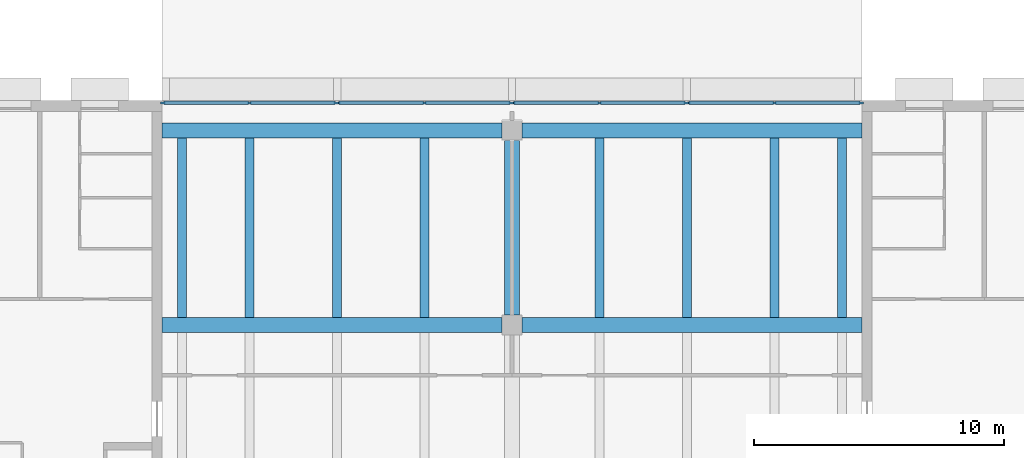
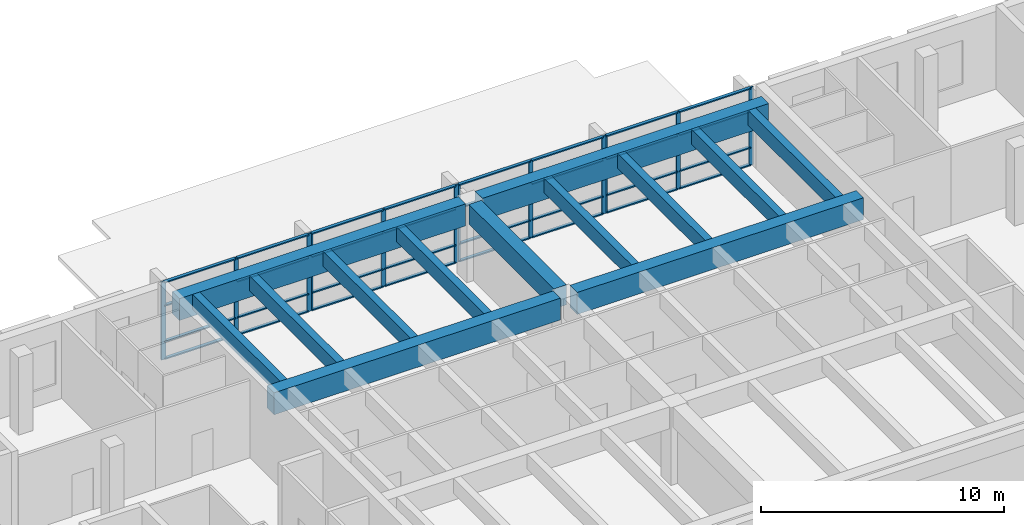
# One storey, part 14 of 45: 44 members, 13 beams, 4 elements without a shape of their own.
"""IFC4 building model written with IfcOpenShell, lengths in metres."""

from ifc_helpers import new_model, si_unit, direction, frame, origin, origin_2d, place, context, subcontext, project, spatial, rectangle, extrude, material, material_profile, profile_set, type_object, element, aggregate, save


model = new_model("IFC4")

# Units and contexts
model_context = context("Model", 3, precision=1e-05, world=origin(), true_north=direction((0.0, 1.0)))
body_context = subcontext(model_context, "Body", "Model", "MODEL_VIEW")
ifc_project = project(units=[si_unit("LENGTHUNIT", "METRE"), si_unit("AREAUNIT", "SQUARE_METRE"), si_unit("VOLUMEUNIT", "CUBIC_METRE"), si_unit("PLANEANGLEUNIT", "RADIAN"), si_unit("MASSUNIT", "GRAM", prefix="KILO")], contexts=[model_context])

# Site, building, storey
site_placement = place(None, origin())
site = spatial("IfcSite", under=ifc_project, at=site_placement, CompositionType="ELEMENT")
building_placement = place(site_placement, origin())
building = spatial("IfcBuilding", under=site, at=building_placement, Name="Elmora Arch Market Hall", CompositionType="ELEMENT")
storey_placement = place(building_placement, frame((0.0, 0.0, 6.0)))
storey = spatial("IfcBuildingStorey", under=building, at=storey_placement, Name="L01", CompositionType="ELEMENT", Elevation=6.0)

# Beams
ifc_material_1 = material(Name="Concrete C32/40", Category="concrete")
ifc_material_profile_1 = material_profile(ifc_material_1, rectangle(XDim=0.60009765625, YDim=1.10009765625, at=origin_2d()), Name="Bridge girder 600x1100")
ifc_profile_set_1 = profile_set([ifc_material_profile_1], Name="Concrete C32/40")
beam_type_1 = type_object("IfcBeamType", Name="Bridge girder 600x1100", PredefinedType="BEAM", material=ifc_profile_set_1)
for number, where, z_axis, x_axis, name in (
    (1, (15.0, 117.0, 3.35009765625), (1.0, 0.0, 0.0), (0.0, 1.0, 0.0), "Bridge girder NR3 L01.1"),
    (2, (29.39990234375, 117.0, 3.35009765625), (1.0, 0.0, 0.0), (0.0, 1.0, 0.0), "Bridge girder NR3 L01.2"),
    (3, (15.0, 124.800048828125, 3.35009765625), (1.0, 0.0, 0.0), (0.0, 1.0, 0.0), "Bridge girder NR4 L01.1"),
    (4, (29.39990234375, 124.800048828125, 3.35009765625), (1.0, 0.0, 0.0), (0.0, 1.0, 0.0), "Bridge girder NR4 L01.2"),
):
    element("IfcBeam", number, at=place(storey_placement, frame(where, z_axis=z_axis, x_axis=x_axis)), inside=storey, type_object=beam_type_1, Name=name, PredefinedType="BEAM", context=body_context, shape_type="SweptSolid", body=[
        extrude(rectangle(XDim=0.60009765625, YDim=1.10009765625, at=origin_2d()), origin(), (0.0, 0.0, 1.0), 13.60009765625),
    ])
ifc_material_2 = material(Name="Concrete C32/40", Category="concrete")
ifc_material_profile_2 = material_profile(ifc_material_2, rectangle(XDim=0.35009765625, YDim=0.75, at=origin_2d()), Name="Bridge joist 350x750")
ifc_profile_set_2 = profile_set([ifc_material_profile_2], Name="Concrete C32/40")
beam_type_2 = type_object("IfcBeamType", Name="Bridge joist 350x750", PredefinedType="JOIST", material=ifc_profile_set_2)
for number, where, z_axis, x_axis, name in (
    (5, (15.800048828125, 117.300048828125, 3.52490234375), (0.0, 1.0, 0.0), (-1.0, 0.0, 0.0), "Bridge joist NJ1 L01.3"),
    (6, (18.5, 117.300048828125, 3.52490234375), (0.0, 1.0, 0.0), (-1.0, 0.0, 0.0), "Bridge joist NJ2 L01.3"),
    (7, (22.0, 117.300048828125, 3.52490234375), (0.0, 1.0, 0.0), (-1.0, 0.0, 0.0), "Bridge joist NJ3 L01.3"),
    (8, (25.5, 117.300048828125, 3.52490234375), (0.0, 1.0, 0.0), (-1.0, 0.0, 0.0), "Bridge joist NJ4 L01.3"),
    (9, (32.5, 117.300048828125, 3.52490234375), (0.0, 1.0, 0.0), (-1.0, 0.0, 0.0), "Bridge joist NJ5 L01.3"),
    (10, (36.0, 117.300048828125, 3.52490234375), (0.0, 1.0, 0.0), (-1.0, 0.0, 0.0), "Bridge joist NJ6 L01.3"),
    (11, (39.5, 117.300048828125, 3.52490234375), (0.0, 1.0, 0.0), (-1.0, 0.0, 0.0), "Bridge joist NJ7 L01.3"),
    (12, (42.199951171875, 117.300048828125, 3.52490234375), (0.0, 1.0, 0.0), (-1.0, 0.0, 0.0), "Bridge joist NJ8 L01.3"),
):
    element("IfcBeam", number, at=place(storey_placement, frame(where, z_axis=z_axis, x_axis=x_axis)), inside=storey, type_object=beam_type_2, Name=name, PredefinedType="JOIST", context=body_context, shape_type="SweptSolid", body=[
        extrude(rectangle(XDim=0.35009765625, YDim=0.75, at=origin_2d()), origin(), (0.0, 0.0, 1.0), 7.199951171875),
    ])

# Curtain wall, members
ifc_material_3 = material(Name="Aluminium", Category="aluminium")
curtain_wall_type = type_object("IfcCurtainWallType", Name="Pavilion front curtain wall", PredefinedType="NOTDEFINED", material=ifc_material_3)
curtain_wall_1_placement = place(storey_placement, origin())
curtain_wall_1 = element("IfcCurtainWall", 13, at=curtain_wall_1_placement, inside=storey, type_object=curtain_wall_type, Name="Pavilion front L01 1", PredefinedType="NOTDEFINED")
ifc_material_4 = material(Name="Aluminium", Category="aluminium")
ifc_material_profile_3 = material_profile(ifc_material_4, rectangle(XDim=0.080078125, YDim=0.199951171875, at=origin_2d()), Name="AL 80x200")
ifc_profile_set_3 = profile_set([ifc_material_profile_3], Name="Aluminium")
member_type_1 = type_object("IfcMemberType", Name="Mullion 80x200", PredefinedType="MULLION", material=ifc_profile_set_3)
member_1_placement = place(storey_placement, frame((15.0400390625, 125.89990234375, 0.0), z_axis=(0.0, 0.0, 1.0), x_axis=(0.0, 1.0, 0.0)))
member_1 = element("IfcMember", 14, at=member_1_placement, type_object=member_type_1, Name="CW1 mullion 1", PredefinedType="MULLION", context=body_context, shape_type="SweptSolid", body=[
    extrude(rectangle(XDim=0.080078125, YDim=0.199951171875, at=origin_2d()), origin(), (0.0, 0.0, 1.0), 3.89990234375),
])
member_2_placement = place(storey_placement, frame((18.5, 125.89990234375, 0.0), z_axis=(0.0, 0.0, 1.0), x_axis=(0.0, 1.0, 0.0)))
member_2 = element("IfcMember", 15, at=member_2_placement, type_object=member_type_1, Name="CW1 mullion 2", PredefinedType="MULLION", context=body_context, shape_type="SweptSolid", body=[
    extrude(rectangle(XDim=0.080078125, YDim=0.199951171875, at=origin_2d()), origin(), (0.0, 0.0, 1.0), 3.89990234375),
])
member_3_placement = place(storey_placement, frame((21.9599609375, 125.89990234375, 0.0), z_axis=(0.0, 0.0, 1.0), x_axis=(0.0, 1.0, 0.0)))
member_3 = element("IfcMember", 16, at=member_3_placement, type_object=member_type_1, Name="CW1 mullion 3", PredefinedType="MULLION", context=body_context, shape_type="SweptSolid", body=[
    extrude(rectangle(XDim=0.080078125, YDim=0.199951171875, at=origin_2d()), origin(), (0.0, 0.0, 1.0), 3.89990234375),
])

curtain_wall_2_placement = place(storey_placement, origin())
curtain_wall_2 = element("IfcCurtainWall", 17, at=curtain_wall_2_placement, inside=storey, type_object=curtain_wall_type, Name="Pavilion front L01 2", PredefinedType="NOTDEFINED")
member_4_placement = place(storey_placement, frame((22.0400390625, 125.89990234375, 0.0), z_axis=(0.0, 0.0, 1.0), x_axis=(0.0, 1.0, 0.0)))
member_4 = element("IfcMember", 18, at=member_4_placement, type_object=member_type_1, Name="CW1 mullion 1", PredefinedType="MULLION", context=body_context, shape_type="SweptSolid", body=[
    extrude(rectangle(XDim=0.080078125, YDim=0.199951171875, at=origin_2d()), origin(), (0.0, 0.0, 1.0), 3.89990234375),
])
member_5_placement = place(storey_placement, frame((25.5, 125.89990234375, 0.0), z_axis=(0.0, 0.0, 1.0), x_axis=(0.0, 1.0, 0.0)))
member_5 = element("IfcMember", 19, at=member_5_placement, type_object=member_type_1, Name="CW1 mullion 2", PredefinedType="MULLION", context=body_context, shape_type="SweptSolid", body=[
    extrude(rectangle(XDim=0.080078125, YDim=0.199951171875, at=origin_2d()), origin(), (0.0, 0.0, 1.0), 3.89990234375),
])
member_6_placement = place(storey_placement, frame((28.9599609375, 125.89990234375, 0.0), z_axis=(0.0, 0.0, 1.0), x_axis=(0.0, 1.0, 0.0)))
member_6 = element("IfcMember", 20, at=member_6_placement, type_object=member_type_1, Name="CW1 mullion 3", PredefinedType="MULLION", context=body_context, shape_type="SweptSolid", body=[
    extrude(rectangle(XDim=0.080078125, YDim=0.199951171875, at=origin_2d()), origin(), (0.0, 0.0, 1.0), 3.89990234375),
])

curtain_wall_3_placement = place(storey_placement, origin())
curtain_wall_3 = element("IfcCurtainWall", 21, at=curtain_wall_3_placement, inside=storey, type_object=curtain_wall_type, Name="Pavilion front L01 3", PredefinedType="NOTDEFINED")
member_7_placement = place(storey_placement, frame((29.0400390625, 125.89990234375, 0.0), z_axis=(0.0, 0.0, 1.0), x_axis=(0.0, 1.0, 0.0)))
member_7 = element("IfcMember", 22, at=member_7_placement, type_object=member_type_1, Name="CW1 mullion 1", PredefinedType="MULLION", context=body_context, shape_type="SweptSolid", body=[
    extrude(rectangle(XDim=0.080078125, YDim=0.199951171875, at=origin_2d()), origin(), (0.0, 0.0, 1.0), 3.89990234375),
])
member_8_placement = place(storey_placement, frame((32.5, 125.89990234375, 0.0), z_axis=(0.0, 0.0, 1.0), x_axis=(0.0, 1.0, 0.0)))
member_8 = element("IfcMember", 23, at=member_8_placement, type_object=member_type_1, Name="CW1 mullion 2", PredefinedType="MULLION", context=body_context, shape_type="SweptSolid", body=[
    extrude(rectangle(XDim=0.080078125, YDim=0.199951171875, at=origin_2d()), origin(), (0.0, 0.0, 1.0), 3.89990234375),
])
member_9_placement = place(storey_placement, frame((35.9599609375, 125.89990234375, 0.0), z_axis=(0.0, 0.0, 1.0), x_axis=(0.0, 1.0, 0.0)))
member_9 = element("IfcMember", 24, at=member_9_placement, type_object=member_type_1, Name="CW1 mullion 3", PredefinedType="MULLION", context=body_context, shape_type="SweptSolid", body=[
    extrude(rectangle(XDim=0.080078125, YDim=0.199951171875, at=origin_2d()), origin(), (0.0, 0.0, 1.0), 3.89990234375),
])

curtain_wall_4_placement = place(storey_placement, origin())
curtain_wall_4 = element("IfcCurtainWall", 25, at=curtain_wall_4_placement, inside=storey, type_object=curtain_wall_type, Name="Pavilion front L01 4", PredefinedType="NOTDEFINED")
member_10_placement = place(storey_placement, frame((36.0400390625, 125.89990234375, 0.0), z_axis=(0.0, 0.0, 1.0), x_axis=(0.0, 1.0, 0.0)))
member_10 = element("IfcMember", 26, at=member_10_placement, type_object=member_type_1, Name="CW1 mullion 1", PredefinedType="MULLION", context=body_context, shape_type="SweptSolid", body=[
    extrude(rectangle(XDim=0.080078125, YDim=0.199951171875, at=origin_2d()), origin(), (0.0, 0.0, 1.0), 3.89990234375),
])
member_11_placement = place(storey_placement, frame((39.5, 125.89990234375, 0.0), z_axis=(0.0, 0.0, 1.0), x_axis=(0.0, 1.0, 0.0)))
member_11 = element("IfcMember", 27, at=member_11_placement, type_object=member_type_1, Name="CW1 mullion 2", PredefinedType="MULLION", context=body_context, shape_type="SweptSolid", body=[
    extrude(rectangle(XDim=0.080078125, YDim=0.199951171875, at=origin_2d()), origin(), (0.0, 0.0, 1.0), 3.89990234375),
])
member_12_placement = place(storey_placement, frame((42.9599609375, 125.89990234375, 0.0), z_axis=(0.0, 0.0, 1.0), x_axis=(0.0, 1.0, 0.0)))
member_12 = element("IfcMember", 28, at=member_12_placement, type_object=member_type_1, Name="CW1 mullion 3", PredefinedType="MULLION", context=body_context, shape_type="SweptSolid", body=[
    extrude(rectangle(XDim=0.080078125, YDim=0.199951171875, at=origin_2d()), origin(), (0.0, 0.0, 1.0), 3.89990234375),
])

# Beam
ifc_material_5 = material(Name="Concrete C32/40", Category="concrete")
ifc_material_profile_4 = material_profile(ifc_material_5, rectangle(XDim=0.60009765625, YDim=1.0, at=origin_2d()), Name="Spine girder 600x1000")
ifc_profile_set_4 = profile_set([ifc_material_profile_4], Name="Concrete C32/40")
beam_type_3 = type_object("IfcBeamType", Name="Spine girder 600x1000", PredefinedType="BEAM", material=ifc_profile_set_4)
beam_placement = place(storey_placement, frame((29.0, 117.39990234375, 3.39990234375), z_axis=(0.0, 1.0, 0.0), x_axis=(-1.0, 0.0, 0.0)))
element("IfcBeam", 29, at=beam_placement, inside=storey, type_object=beam_type_3, Name="Spine girder NSP L01.3", PredefinedType="BEAM", context=body_context, shape_type="SweptSolid", body=[
    extrude(rectangle(XDim=0.60009765625, YDim=1.0, at=origin_2d()), origin(), (0.0, 0.0, 1.0), 7.0),
])

# Member
ifc_material_6 = material(Name="Aluminium", Category="aluminium")
ifc_material_profile_5 = material_profile(ifc_material_6, rectangle(XDim=0.14990234375, YDim=0.06005859375, at=origin_2d()), Name="AL 150x60")
ifc_profile_set_5 = profile_set([ifc_material_profile_5], Name="Aluminium")
member_type_2 = type_object("IfcMemberType", Name="Transom 150x60", PredefinedType="USERDEFINED", material=ifc_profile_set_5)
member_13_placement = place(storey_placement, frame((15.080078125, 125.89990234375, 0.030029296875), z_axis=(1.0, 0.0, 0.0), x_axis=(0.0, 1.0, 0.0)))
member_13 = element("IfcMember", 30, at=member_13_placement, type_object=member_type_2, Name="CW1 transom 1.1", ObjectType="TRANSOM", PredefinedType="USERDEFINED", context=body_context, shape_type="SweptSolid", body=[
    extrude(rectangle(XDim=0.14990234375, YDim=0.06005859375, at=origin_2d()), origin(), (0.0, 0.0, 1.0), 3.3798828125),
])

member_14_placement = place(storey_placement, frame((15.080078125, 125.89990234375, 0.89990234375), z_axis=(1.0, 0.0, 0.0), x_axis=(0.0, 1.0, 0.0)))
member_14 = element("IfcMember", 31, at=member_14_placement, type_object=member_type_2, Name="CW1 transom 1.2", ObjectType="TRANSOM", PredefinedType="USERDEFINED", context=body_context, shape_type="SweptSolid", body=[
    extrude(rectangle(XDim=0.14990234375, YDim=0.06005859375, at=origin_2d()), origin(), (0.0, 0.0, 1.0), 3.3798828125),
])

member_15_placement = place(storey_placement, frame((15.080078125, 125.89990234375, 2.699951171875), z_axis=(1.0, 0.0, 0.0), x_axis=(0.0, 1.0, 0.0)))
member_15 = element("IfcMember", 32, at=member_15_placement, type_object=member_type_2, Name="CW1 transom 1.3", ObjectType="TRANSOM", PredefinedType="USERDEFINED", context=body_context, shape_type="SweptSolid", body=[
    extrude(rectangle(XDim=0.14990234375, YDim=0.06005859375, at=origin_2d()), origin(), (0.0, 0.0, 1.0), 3.3798828125),
])

member_16_placement = place(storey_placement, frame((15.080078125, 125.89990234375, 3.8701171875), z_axis=(1.0, 0.0, 0.0), x_axis=(0.0, 1.0, 0.0)))
member_16 = element("IfcMember", 33, at=member_16_placement, type_object=member_type_2, Name="CW1 transom 1.4", ObjectType="TRANSOM", PredefinedType="USERDEFINED", context=body_context, shape_type="SweptSolid", body=[
    extrude(rectangle(XDim=0.14990234375, YDim=0.06005859375, at=origin_2d()), origin(), (0.0, 0.0, 1.0), 3.3798828125),
])

member_17_placement = place(storey_placement, frame((18.5400390625, 125.89990234375, 0.030029296875), z_axis=(1.0, 0.0, 0.0), x_axis=(0.0, 1.0, 0.0)))
member_17 = element("IfcMember", 34, at=member_17_placement, type_object=member_type_2, Name="CW1 transom 2.1", ObjectType="TRANSOM", PredefinedType="USERDEFINED", context=body_context, shape_type="SweptSolid", body=[
    extrude(rectangle(XDim=0.14990234375, YDim=0.06005859375, at=origin_2d()), origin(), (0.0, 0.0, 1.0), 3.3798828125),
])

member_18_placement = place(storey_placement, frame((18.5400390625, 125.89990234375, 0.89990234375), z_axis=(1.0, 0.0, 0.0), x_axis=(0.0, 1.0, 0.0)))
member_18 = element("IfcMember", 35, at=member_18_placement, type_object=member_type_2, Name="CW1 transom 2.2", ObjectType="TRANSOM", PredefinedType="USERDEFINED", context=body_context, shape_type="SweptSolid", body=[
    extrude(rectangle(XDim=0.14990234375, YDim=0.06005859375, at=origin_2d()), origin(), (0.0, 0.0, 1.0), 3.3798828125),
])

member_19_placement = place(storey_placement, frame((18.5400390625, 125.89990234375, 2.699951171875), z_axis=(1.0, 0.0, 0.0), x_axis=(0.0, 1.0, 0.0)))
member_19 = element("IfcMember", 36, at=member_19_placement, type_object=member_type_2, Name="CW1 transom 2.3", ObjectType="TRANSOM", PredefinedType="USERDEFINED", context=body_context, shape_type="SweptSolid", body=[
    extrude(rectangle(XDim=0.14990234375, YDim=0.06005859375, at=origin_2d()), origin(), (0.0, 0.0, 1.0), 3.3798828125),
])

member_20_placement = place(storey_placement, frame((18.5400390625, 125.89990234375, 3.8701171875), z_axis=(1.0, 0.0, 0.0), x_axis=(0.0, 1.0, 0.0)))
member_20 = element("IfcMember", 37, at=member_20_placement, type_object=member_type_2, Name="CW1 transom 2.4", ObjectType="TRANSOM", PredefinedType="USERDEFINED", context=body_context, shape_type="SweptSolid", body=[
    extrude(rectangle(XDim=0.14990234375, YDim=0.06005859375, at=origin_2d()), origin(), (0.0, 0.0, 1.0), 3.3798828125),
])

aggregate(curtain_wall_1, [member_1, member_2, member_3, member_13, member_14, member_15, member_16, member_17, member_18, member_19, member_20])

member_21_placement = place(storey_placement, frame((22.080078125, 125.89990234375, 0.030029296875), z_axis=(1.0, 0.0, 0.0), x_axis=(0.0, 1.0, 0.0)))
member_21 = element("IfcMember", 38, at=member_21_placement, type_object=member_type_2, Name="CW1 transom 1.1", ObjectType="TRANSOM", PredefinedType="USERDEFINED", context=body_context, shape_type="SweptSolid", body=[
    extrude(rectangle(XDim=0.14990234375, YDim=0.06005859375, at=origin_2d()), origin(), (0.0, 0.0, 1.0), 3.3798828125),
])

member_22_placement = place(storey_placement, frame((22.080078125, 125.89990234375, 0.89990234375), z_axis=(1.0, 0.0, 0.0), x_axis=(0.0, 1.0, 0.0)))
member_22 = element("IfcMember", 39, at=member_22_placement, type_object=member_type_2, Name="CW1 transom 1.2", ObjectType="TRANSOM", PredefinedType="USERDEFINED", context=body_context, shape_type="SweptSolid", body=[
    extrude(rectangle(XDim=0.14990234375, YDim=0.06005859375, at=origin_2d()), origin(), (0.0, 0.0, 1.0), 3.3798828125),
])

member_23_placement = place(storey_placement, frame((22.080078125, 125.89990234375, 2.699951171875), z_axis=(1.0, 0.0, 0.0), x_axis=(0.0, 1.0, 0.0)))
member_23 = element("IfcMember", 40, at=member_23_placement, type_object=member_type_2, Name="CW1 transom 1.3", ObjectType="TRANSOM", PredefinedType="USERDEFINED", context=body_context, shape_type="SweptSolid", body=[
    extrude(rectangle(XDim=0.14990234375, YDim=0.06005859375, at=origin_2d()), origin(), (0.0, 0.0, 1.0), 3.3798828125),
])

member_24_placement = place(storey_placement, frame((22.080078125, 125.89990234375, 3.8701171875), z_axis=(1.0, 0.0, 0.0), x_axis=(0.0, 1.0, 0.0)))
member_24 = element("IfcMember", 41, at=member_24_placement, type_object=member_type_2, Name="CW1 transom 1.4", ObjectType="TRANSOM", PredefinedType="USERDEFINED", context=body_context, shape_type="SweptSolid", body=[
    extrude(rectangle(XDim=0.14990234375, YDim=0.06005859375, at=origin_2d()), origin(), (0.0, 0.0, 1.0), 3.3798828125),
])

member_25_placement = place(storey_placement, frame((25.5400390625, 125.89990234375, 0.030029296875), z_axis=(1.0, 0.0, 0.0), x_axis=(0.0, 1.0, 0.0)))
member_25 = element("IfcMember", 42, at=member_25_placement, type_object=member_type_2, Name="CW1 transom 2.1", ObjectType="TRANSOM", PredefinedType="USERDEFINED", context=body_context, shape_type="SweptSolid", body=[
    extrude(rectangle(XDim=0.14990234375, YDim=0.06005859375, at=origin_2d()), origin(), (0.0, 0.0, 1.0), 3.3798828125),
])

member_26_placement = place(storey_placement, frame((25.5400390625, 125.89990234375, 0.89990234375), z_axis=(1.0, 0.0, 0.0), x_axis=(0.0, 1.0, 0.0)))
member_26 = element("IfcMember", 43, at=member_26_placement, type_object=member_type_2, Name="CW1 transom 2.2", ObjectType="TRANSOM", PredefinedType="USERDEFINED", context=body_context, shape_type="SweptSolid", body=[
    extrude(rectangle(XDim=0.14990234375, YDim=0.06005859375, at=origin_2d()), origin(), (0.0, 0.0, 1.0), 3.3798828125),
])

member_27_placement = place(storey_placement, frame((25.5400390625, 125.89990234375, 2.699951171875), z_axis=(1.0, 0.0, 0.0), x_axis=(0.0, 1.0, 0.0)))
member_27 = element("IfcMember", 44, at=member_27_placement, type_object=member_type_2, Name="CW1 transom 2.3", ObjectType="TRANSOM", PredefinedType="USERDEFINED", context=body_context, shape_type="SweptSolid", body=[
    extrude(rectangle(XDim=0.14990234375, YDim=0.06005859375, at=origin_2d()), origin(), (0.0, 0.0, 1.0), 3.3798828125),
])

member_28_placement = place(storey_placement, frame((25.5400390625, 125.89990234375, 3.8701171875), z_axis=(1.0, 0.0, 0.0), x_axis=(0.0, 1.0, 0.0)))
member_28 = element("IfcMember", 45, at=member_28_placement, type_object=member_type_2, Name="CW1 transom 2.4", ObjectType="TRANSOM", PredefinedType="USERDEFINED", context=body_context, shape_type="SweptSolid", body=[
    extrude(rectangle(XDim=0.14990234375, YDim=0.06005859375, at=origin_2d()), origin(), (0.0, 0.0, 1.0), 3.3798828125),
])

aggregate(curtain_wall_2, [member_4, member_5, member_6, member_21, member_22, member_23, member_24, member_25, member_26, member_27, member_28])

member_29_placement = place(storey_placement, frame((29.080078125, 125.89990234375, 0.030029296875), z_axis=(1.0, 0.0, 0.0), x_axis=(0.0, 1.0, 0.0)))
member_29 = element("IfcMember", 46, at=member_29_placement, type_object=member_type_2, Name="CW1 transom 1.1", ObjectType="TRANSOM", PredefinedType="USERDEFINED", context=body_context, shape_type="SweptSolid", body=[
    extrude(rectangle(XDim=0.14990234375, YDim=0.06005859375, at=origin_2d()), origin(), (0.0, 0.0, 1.0), 3.3798828125),
])

member_30_placement = place(storey_placement, frame((29.080078125, 125.89990234375, 0.89990234375), z_axis=(1.0, 0.0, 0.0), x_axis=(0.0, 1.0, 0.0)))
member_30 = element("IfcMember", 47, at=member_30_placement, type_object=member_type_2, Name="CW1 transom 1.2", ObjectType="TRANSOM", PredefinedType="USERDEFINED", context=body_context, shape_type="SweptSolid", body=[
    extrude(rectangle(XDim=0.14990234375, YDim=0.06005859375, at=origin_2d()), origin(), (0.0, 0.0, 1.0), 3.3798828125),
])

member_31_placement = place(storey_placement, frame((29.080078125, 125.89990234375, 2.699951171875), z_axis=(1.0, 0.0, 0.0), x_axis=(0.0, 1.0, 0.0)))
member_31 = element("IfcMember", 48, at=member_31_placement, type_object=member_type_2, Name="CW1 transom 1.3", ObjectType="TRANSOM", PredefinedType="USERDEFINED", context=body_context, shape_type="SweptSolid", body=[
    extrude(rectangle(XDim=0.14990234375, YDim=0.06005859375, at=origin_2d()), origin(), (0.0, 0.0, 1.0), 3.3798828125),
])

member_32_placement = place(storey_placement, frame((29.080078125, 125.89990234375, 3.8701171875), z_axis=(1.0, 0.0, 0.0), x_axis=(0.0, 1.0, 0.0)))
member_32 = element("IfcMember", 49, at=member_32_placement, type_object=member_type_2, Name="CW1 transom 1.4", ObjectType="TRANSOM", PredefinedType="USERDEFINED", context=body_context, shape_type="SweptSolid", body=[
    extrude(rectangle(XDim=0.14990234375, YDim=0.06005859375, at=origin_2d()), origin(), (0.0, 0.0, 1.0), 3.3798828125),
])

member_33_placement = place(storey_placement, frame((32.5400390625, 125.89990234375, 0.030029296875), z_axis=(1.0, 0.0, 0.0), x_axis=(0.0, 1.0, 0.0)))
member_33 = element("IfcMember", 50, at=member_33_placement, type_object=member_type_2, Name="CW1 transom 2.1", ObjectType="TRANSOM", PredefinedType="USERDEFINED", context=body_context, shape_type="SweptSolid", body=[
    extrude(rectangle(XDim=0.14990234375, YDim=0.06005859375, at=origin_2d()), origin(), (0.0, 0.0, 1.0), 3.3798828125),
])

member_34_placement = place(storey_placement, frame((32.5400390625, 125.89990234375, 0.89990234375), z_axis=(1.0, 0.0, 0.0), x_axis=(0.0, 1.0, 0.0)))
member_34 = element("IfcMember", 51, at=member_34_placement, type_object=member_type_2, Name="CW1 transom 2.2", ObjectType="TRANSOM", PredefinedType="USERDEFINED", context=body_context, shape_type="SweptSolid", body=[
    extrude(rectangle(XDim=0.14990234375, YDim=0.06005859375, at=origin_2d()), origin(), (0.0, 0.0, 1.0), 3.3798828125),
])

member_35_placement = place(storey_placement, frame((32.5400390625, 125.89990234375, 2.699951171875), z_axis=(1.0, 0.0, 0.0), x_axis=(0.0, 1.0, 0.0)))
member_35 = element("IfcMember", 52, at=member_35_placement, type_object=member_type_2, Name="CW1 transom 2.3", ObjectType="TRANSOM", PredefinedType="USERDEFINED", context=body_context, shape_type="SweptSolid", body=[
    extrude(rectangle(XDim=0.14990234375, YDim=0.06005859375, at=origin_2d()), origin(), (0.0, 0.0, 1.0), 3.3798828125),
])

member_36_placement = place(storey_placement, frame((32.5400390625, 125.89990234375, 3.8701171875), z_axis=(1.0, 0.0, 0.0), x_axis=(0.0, 1.0, 0.0)))
member_36 = element("IfcMember", 53, at=member_36_placement, type_object=member_type_2, Name="CW1 transom 2.4", ObjectType="TRANSOM", PredefinedType="USERDEFINED", context=body_context, shape_type="SweptSolid", body=[
    extrude(rectangle(XDim=0.14990234375, YDim=0.06005859375, at=origin_2d()), origin(), (0.0, 0.0, 1.0), 3.3798828125),
])

aggregate(curtain_wall_3, [member_7, member_8, member_9, member_29, member_30, member_31, member_32, member_33, member_34, member_35, member_36])

member_37_placement = place(storey_placement, frame((36.080078125, 125.89990234375, 0.030029296875), z_axis=(1.0, 0.0, 0.0), x_axis=(0.0, 1.0, 0.0)))
member_37 = element("IfcMember", 54, at=member_37_placement, type_object=member_type_2, Name="CW1 transom 1.1", ObjectType="TRANSOM", PredefinedType="USERDEFINED", context=body_context, shape_type="SweptSolid", body=[
    extrude(rectangle(XDim=0.14990234375, YDim=0.06005859375, at=origin_2d()), origin(), (0.0, 0.0, 1.0), 3.3798828125),
])

member_38_placement = place(storey_placement, frame((36.080078125, 125.89990234375, 0.89990234375), z_axis=(1.0, 0.0, 0.0), x_axis=(0.0, 1.0, 0.0)))
member_38 = element("IfcMember", 55, at=member_38_placement, type_object=member_type_2, Name="CW1 transom 1.2", ObjectType="TRANSOM", PredefinedType="USERDEFINED", context=body_context, shape_type="SweptSolid", body=[
    extrude(rectangle(XDim=0.14990234375, YDim=0.06005859375, at=origin_2d()), origin(), (0.0, 0.0, 1.0), 3.3798828125),
])

member_39_placement = place(storey_placement, frame((36.080078125, 125.89990234375, 2.699951171875), z_axis=(1.0, 0.0, 0.0), x_axis=(0.0, 1.0, 0.0)))
member_39 = element("IfcMember", 56, at=member_39_placement, type_object=member_type_2, Name="CW1 transom 1.3", ObjectType="TRANSOM", PredefinedType="USERDEFINED", context=body_context, shape_type="SweptSolid", body=[
    extrude(rectangle(XDim=0.14990234375, YDim=0.06005859375, at=origin_2d()), origin(), (0.0, 0.0, 1.0), 3.3798828125),
])

member_40_placement = place(storey_placement, frame((36.080078125, 125.89990234375, 3.8701171875), z_axis=(1.0, 0.0, 0.0), x_axis=(0.0, 1.0, 0.0)))
member_40 = element("IfcMember", 57, at=member_40_placement, type_object=member_type_2, Name="CW1 transom 1.4", ObjectType="TRANSOM", PredefinedType="USERDEFINED", context=body_context, shape_type="SweptSolid", body=[
    extrude(rectangle(XDim=0.14990234375, YDim=0.06005859375, at=origin_2d()), origin(), (0.0, 0.0, 1.0), 3.3798828125),
])

member_41_placement = place(storey_placement, frame((39.5400390625, 125.89990234375, 0.030029296875), z_axis=(1.0, 0.0, 0.0), x_axis=(0.0, 1.0, 0.0)))
member_41 = element("IfcMember", 58, at=member_41_placement, type_object=member_type_2, Name="CW1 transom 2.1", ObjectType="TRANSOM", PredefinedType="USERDEFINED", context=body_context, shape_type="SweptSolid", body=[
    extrude(rectangle(XDim=0.14990234375, YDim=0.06005859375, at=origin_2d()), origin(), (0.0, 0.0, 1.0), 3.3798828125),
])

member_42_placement = place(storey_placement, frame((39.5400390625, 125.89990234375, 0.89990234375), z_axis=(1.0, 0.0, 0.0), x_axis=(0.0, 1.0, 0.0)))
member_42 = element("IfcMember", 59, at=member_42_placement, type_object=member_type_2, Name="CW1 transom 2.2", ObjectType="TRANSOM", PredefinedType="USERDEFINED", context=body_context, shape_type="SweptSolid", body=[
    extrude(rectangle(XDim=0.14990234375, YDim=0.06005859375, at=origin_2d()), origin(), (0.0, 0.0, 1.0), 3.3798828125),
])

member_43_placement = place(storey_placement, frame((39.5400390625, 125.89990234375, 2.699951171875), z_axis=(1.0, 0.0, 0.0), x_axis=(0.0, 1.0, 0.0)))
member_43 = element("IfcMember", 60, at=member_43_placement, type_object=member_type_2, Name="CW1 transom 2.3", ObjectType="TRANSOM", PredefinedType="USERDEFINED", context=body_context, shape_type="SweptSolid", body=[
    extrude(rectangle(XDim=0.14990234375, YDim=0.06005859375, at=origin_2d()), origin(), (0.0, 0.0, 1.0), 3.3798828125),
])

member_44_placement = place(storey_placement, frame((39.5400390625, 125.89990234375, 3.8701171875), z_axis=(1.0, 0.0, 0.0), x_axis=(0.0, 1.0, 0.0)))
member_44 = element("IfcMember", 61, at=member_44_placement, type_object=member_type_2, Name="CW1 transom 2.4", ObjectType="TRANSOM", PredefinedType="USERDEFINED", context=body_context, shape_type="SweptSolid", body=[
    extrude(rectangle(XDim=0.14990234375, YDim=0.06005859375, at=origin_2d()), origin(), (0.0, 0.0, 1.0), 3.3798828125),
])

aggregate(curtain_wall_4, [member_10, member_11, member_12, member_37, member_38, member_39, member_40, member_41, member_42, member_43, member_44])

save(model, "model.ifc")
